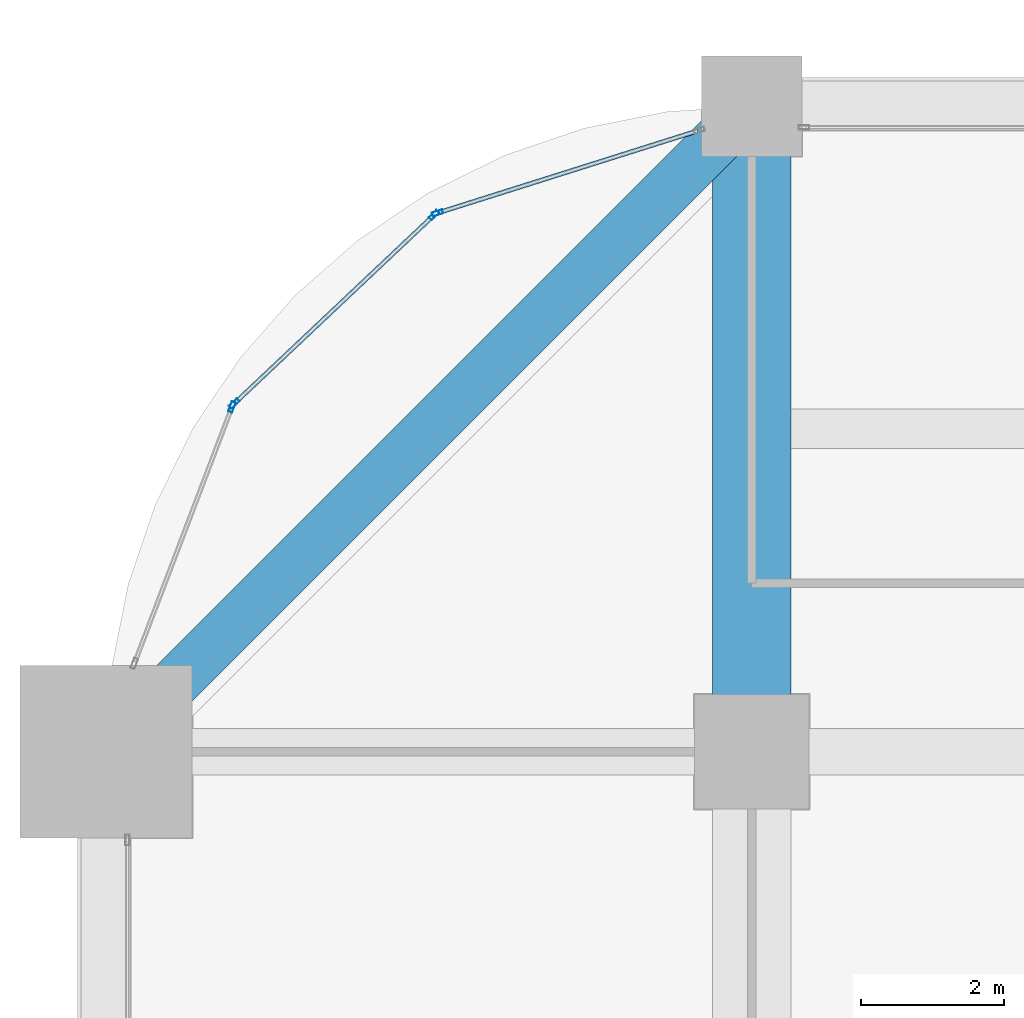
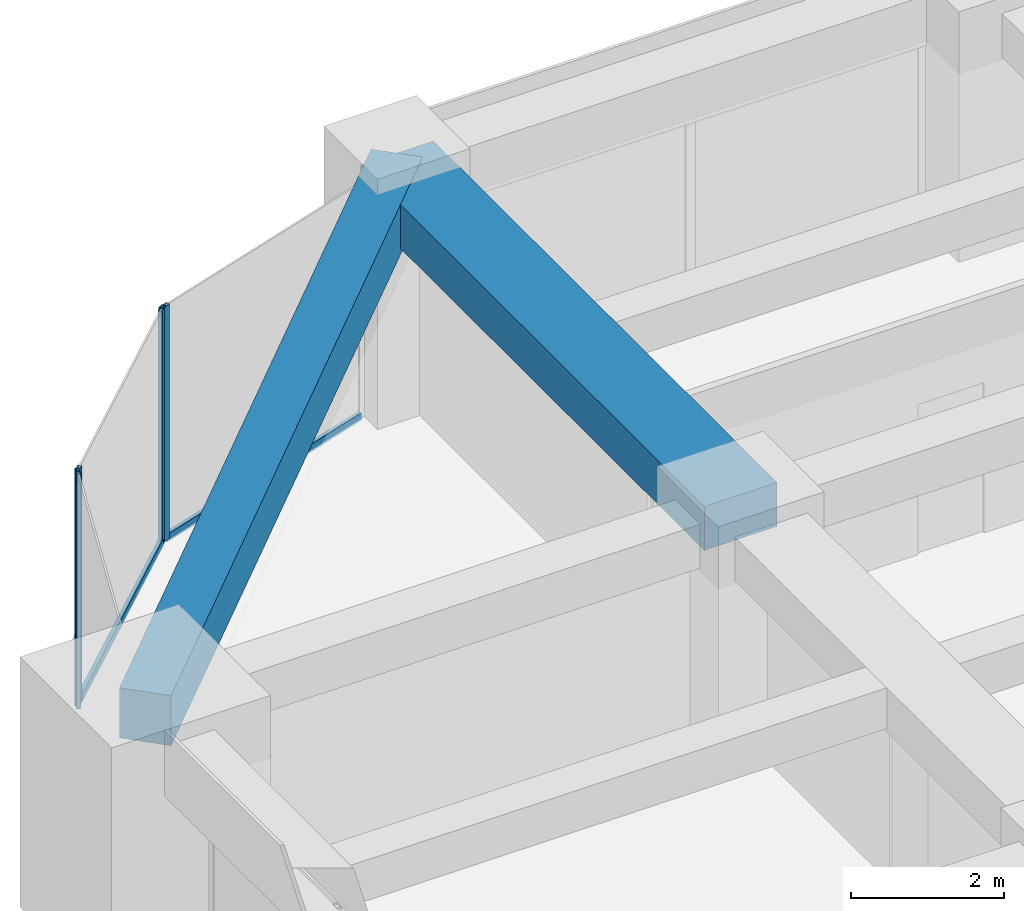
# One storey, part 22 of 32: 6 members, 2 beams, 3 elements without a shape of their own.
"""IFC4 building model written with IfcOpenShell, lengths in metres."""

import ifcopenshell
import ifcopenshell.guid

model = None  # the IFC model being written
_history = None  # IfcOwnerHistory: only IFC2X3 demands one
_inside = {}  # id of a spatial element -> (the spatial element, [elements in it])
_under = {}  # id of a project, library or spatial element -> (it, [spatial elements below it])
_declared = {}  # id of a project -> (the project, [libraries it declares])
_typed = {}  # id of a type object -> (the type object, [elements of that type])
_made_of = {}  # id of a material, layer set ... -> (it, [elements and type objects made of it])


def new_model(schema):
    """Start an empty IFC model of exactly this schema.

    Asked for "IFC4X3", IfcOpenShell would pick the latest addendum, in which some entities
    have other attributes; the version numbers below select the first issue.
    IFC2X3 requires an IfcOwnerHistory on every rooted entity: one is made here for all.
    """
    global model, _history
    if schema == "IFC4X3":
        model = ifcopenshell.file(schema_version=(4, 3, 0, 0))
    else:
        model = ifcopenshell.file(schema=schema)
    _inside.clear()
    _under.clear()
    _declared.clear()
    _typed.clear()
    _made_of.clear()
    _history = None
    if model.schema == "IFC2X3":
        org = make("IfcOrganization", Name="unknown")
        user = make(
            "IfcPersonAndOrganization",
            ThePerson=make("IfcPerson", FamilyName="unknown"),
            TheOrganization=org,
        )
        app = make(
            "IfcApplication",
            ApplicationDeveloper=org,
            Version="unknown",
            ApplicationFullName="unknown",
            ApplicationIdentifier="unknown",
        )
        _history = make(
            "IfcOwnerHistory",
            OwningUser=user,
            OwningApplication=app,
            ChangeAction="ADDED",
            CreationDate=0,
        )
    return model


def make(cls, **values):
    """One entity of the class cls with the attributes given. An attribute that is None is left unset."""
    return model.create_entity(
        cls, **{name: value for name, value in values.items() if value is not None}
    )


def rooted(cls, **values):
    """An entity with a GlobalId (a new one), such as an element, a storey or a relation."""
    return make(cls, GlobalId=ifcopenshell.guid.new(), OwnerHistory=_history, **values)


def si_unit(unit_type, name, prefix=None):
    """IfcSIUnit, for example si_unit("LENGTHUNIT", "METRE", prefix="MILLI")."""
    return make("IfcSIUnit", UnitType=unit_type, Prefix=prefix, Name=name)


def assignment(units):
    """IfcUnitAssignment: the units of a project."""
    return None if units is None else make("IfcUnitAssignment", Units=units)


def point(xyz):
    """IfcCartesianPoint."""
    return None if xyz is None else make("IfcCartesianPoint", Coordinates=xyz)


def direction(xyz):
    """IfcDirection."""
    return None if xyz is None else make("IfcDirection", DirectionRatios=xyz)


def frame(location, z_axis=None, x_axis=None):
    """IfcAxis2Placement3D, a coordinate frame: its origin and axes. An axis left out is left unset."""
    return make(
        "IfcAxis2Placement3D",
        Location=point(location),
        Axis=direction(z_axis),
        RefDirection=direction(x_axis),
    )


def frame_2d(location, x_axis=None):
    """IfcAxis2Placement2D, a coordinate frame in the plane: its origin and x axis."""
    return make(
        "IfcAxis2Placement2D", Location=point(location), RefDirection=direction(x_axis)
    )


def origin():
    """The frame at (0, 0, 0) with its axes left unset."""
    return frame((0.0, 0.0, 0.0))


def origin_2d():
    """The frame at (0, 0) in the plane with its x axis left unset."""
    return frame_2d((0.0, 0.0))


def place(relative_to, where):
    """IfcLocalPlacement: puts the frame where relative to a parent placement (None: the world)."""
    return make(
        "IfcLocalPlacement", PlacementRelTo=relative_to, RelativePlacement=where
    )


def context(
    kind, dimensions, precision=None, world=None, true_north=None, identifier=None
):
    """IfcGeometricRepresentationContext, for example the 3D "Model" context."""
    return make(
        "IfcGeometricRepresentationContext",
        ContextIdentifier=identifier,
        ContextType=kind,
        CoordinateSpaceDimension=dimensions,
        Precision=precision,
        WorldCoordinateSystem=world,
        TrueNorth=true_north,
    )


def subcontext(parent, identifier, kind, view, scale=None):
    """IfcGeometricRepresentationSubContext, for example "Body" below "Model"."""
    return make(
        "IfcGeometricRepresentationSubContext",
        ContextIdentifier=identifier,
        ContextType=kind,
        ParentContext=parent,
        TargetScale=scale,
        TargetView=view,
    )


def project(units=None, contexts=None):
    """IfcProject with its units and contexts."""
    return rooted(
        "IfcProject",
        Name="project",
        RepresentationContexts=contexts,
        UnitsInContext=assignment(units),
    )


def spatial(cls, under=None, at=None, **own):
    """A site, building, storey or space (cls), placed at a placement, below another one or the project."""
    s = rooted(cls, ObjectPlacement=at, **own)
    if under is not None:
        _under.setdefault(under.id(), (under, []))[1].append(s)
    return s


def profile(cls, at=None, kind="AREA", **sizes):
    """A parametric profile (cls). Its sizes go by their IFC names, for example OverallWidth=200.0."""
    return make(cls, ProfileType=kind, Position=at, **sizes)


def rectangle(**sizes):
    """IfcRectangleProfileDef."""
    return profile("IfcRectangleProfileDef", **sizes)


def hollow_rectangle(**sizes):
    """IfcRectangleHollowProfileDef."""
    return profile("IfcRectangleHollowProfileDef", **sizes)


def extrude(swept, where, along, depth):
    """IfcExtrudedAreaSolid: the profile swept, set in the frame where, extruded along a direction by depth."""
    return make(
        "IfcExtrudedAreaSolid",
        SweptArea=swept,
        Position=where,
        ExtrudedDirection=direction(along),
        Depth=depth,
    )


def shape(context_of_items, identifier, shape_type, items):
    """IfcShapeRepresentation: the items that make up one representation, for example the "Body"."""
    return make(
        "IfcShapeRepresentation",
        ContextOfItems=context_of_items,
        RepresentationIdentifier=identifier,
        RepresentationType=shape_type,
        Items=items,
    )


def material(Name=None, Category=None):
    """IfcMaterial."""
    return make("IfcMaterial", Name=Name, Category=Category)


def material_profile(
    of_material, cross_section, Name=None, Category=None, Priority=None
):
    """IfcMaterialProfile: a cross section and its material."""
    return make(
        "IfcMaterialProfile",
        Name=Name,
        Material=of_material,
        Profile=cross_section,
        Priority=Priority,
        Category=Category,
    )


def profile_set(profiles, Name=None, composite=None):
    """IfcMaterialProfileSet."""
    return make(
        "IfcMaterialProfileSet",
        Name=Name,
        MaterialProfiles=profiles,
        CompositeProfile=composite,
    )


def made_of(thing, what):
    """Note that an element or type object is made of a material, layer set ...; save() writes the relation."""
    if what is not None:
        _made_of.setdefault(what.id(), (what, []))[1].append(thing)
    return thing


def type_object(cls, material=None, **own):
    """A type object (cls), such as IfcWallType, which elements share."""
    return made_of(rooted(cls, **own), material)


def element(
    cls,
    number,
    at=None,
    inside=None,
    cuts=None,
    type_object=None,
    material=None,
    context=None,
    identifier="Body",
    shape_type=None,
    held_by="IfcProductDefinitionShape",
    body=None,
    shapes=None,
    **own,
):
    """One element of the class cls, such as IfcWall. Its Tag is "e" and its number.

    at: its placement. inside: the storey or other place that contains it. cuts: it is an
    opening in that element (IfcRelVoidsElement). A single representation is given by context,
    identifier, shape_type and body (its items); several are given by shapes. held_by: the class
    of the entity that holds the representations. save() writes the other relations.
    """
    e = rooted(cls, Tag="e%d" % number, ObjectPlacement=at, **own)
    if body is not None:
        shapes = [shape(context, identifier, shape_type, body)]
    if shapes is not None:
        e.Representation = make(held_by, Representations=shapes)
    if inside is not None:
        _inside.setdefault(inside.id(), (inside, []))[1].append(e)
    if cuts is not None:
        rooted(
            "IfcRelVoidsElement", RelatingBuildingElement=cuts, RelatedOpeningElement=e
        )
    if type_object is not None:
        _typed.setdefault(type_object.id(), (type_object, []))[1].append(e)
    return made_of(e, material)


def aggregate(whole, parts):
    """IfcRelAggregates: a whole, such as a stair, and the parts it consists of."""
    return rooted("IfcRelAggregates", RelatingObject=whole, RelatedObjects=parts)


def save(model, path):
    """Write the relations noted so far, then the file.

    IfcRelAggregates (storeys below a building ...), IfcRelContainedInSpatialStructure (elements
    in a storey), IfcRelDefinesByType, IfcRelAssociatesMaterial and IfcRelDeclares: one each for
    every whole, place, type object, material and project.
    """
    for whole, parts in _under.values():
        aggregate(whole, parts)
    for where, things in _inside.values():
        rooted(
            "IfcRelContainedInSpatialStructure",
            RelatedElements=things,
            RelatingStructure=where,
        )
    for kind, things in _typed.values():
        rooted("IfcRelDefinesByType", RelatedObjects=things, RelatingType=kind)
    for what, things in _made_of.values():
        rooted("IfcRelAssociatesMaterial", RelatedObjects=things, RelatingMaterial=what)
    for by, libraries in _declared.values():
        rooted("IfcRelDeclares", RelatingContext=by, RelatedDefinitions=libraries)
    model.write(path)


model = new_model("IFC4")

# Units and contexts
model_context = context("Model", 3, precision=1e-05, world=origin(), true_north=direction((0.0, 1.0)))
body_context = subcontext(model_context, "Body", "Model", "MODEL_VIEW")
ifc_project = project(units=[si_unit("LENGTHUNIT", "METRE"), si_unit("AREAUNIT", "SQUARE_METRE"), si_unit("VOLUMEUNIT", "CUBIC_METRE"), si_unit("PLANEANGLEUNIT", "RADIAN"), si_unit("MASSUNIT", "GRAM", prefix="KILO")], contexts=[model_context])

# Site, building, storey
site_placement = place(None, origin())
site = spatial("IfcSite", under=ifc_project, at=site_placement, CompositionType="ELEMENT")
building_placement = place(site_placement, origin())
building = spatial("IfcBuilding", under=site, at=building_placement, Name="Zorevar Civic Tower", CompositionType="ELEMENT")
storey_placement = place(building_placement, frame((0.0, 0.0, 190.199951171875)))
storey = spatial("IfcBuildingStorey", under=building, at=storey_placement, Name="L46", CompositionType="ELEMENT", Elevation=190.199951171875)

# Beam
ifc_material_1 = material(Name="Concrete C50/60", Category="concrete")
ifc_material_profile_1 = material_profile(ifc_material_1, rectangle(XDim=1.10009765625, YDim=0.699951171875, at=origin_2d()), Name="RC 1100x700")
ifc_profile_set_1 = profile_set([ifc_material_profile_1], Name="Concrete C50/60")
beam_type_1 = type_object("IfcBeamType", Name="Beam RC 1100x700", PredefinedType="BEAM", material=ifc_profile_set_1)
beam_1_placement = place(storey_placement, frame((9.0, 36.0, 3.400146484375), z_axis=(0.0, 1.0, 0.0), x_axis=(-1.0, 0.0, 0.0)))
element("IfcBeam", 1, at=beam_1_placement, inside=storey, type_object=beam_type_1, Name="Girder L47", PredefinedType="BEAM", context=body_context, shape_type="SweptSolid", body=[
    extrude(rectangle(XDim=1.10009765625, YDim=0.699951171875, at=origin_2d()), origin(), (0.0, 0.0, 1.0), 9.0),
])

# Curtain wall, member
ifc_material_2 = material(Name="Dark grey solar-control glass in black aluminium frame", Category="aluminium")
curtain_wall_type = type_object("IfcCurtainWallType", Name="Curtain wall CW4 high zone", PredefinedType="NOTDEFINED", material=ifc_material_2)
curtain_wall_1_placement = place(storey_placement, origin())
curtain_wall_1 = element("IfcCurtainWall", 2, at=curtain_wall_1_placement, inside=storey, type_object=curtain_wall_type, Name="CW4 L46", PredefinedType="NOTDEFINED")
ifc_material_3 = material(Name="Aluminium, black anodised", Category="aluminium")
ifc_material_profile_2 = material_profile(ifc_material_3, hollow_rectangle(XDim=0.06005859375, YDim=0.14990234375, WallThickness=0.00390625, at=origin_2d()), Name="AL 150x60x4")
ifc_profile_set_2 = profile_set([ifc_material_profile_2], Name="Aluminium, black anodised")
member_type_1 = type_object("IfcMemberType", Name="CW4 mullion AL 150x60x4", PredefinedType="MULLION", material=ifc_profile_set_2)
member_1_placement = place(storey_placement, frame((4.62158203125, 43.51025390625, 0.0), z_axis=(0.0, 0.0, 1.0), x_axis=(0.301108296077, -0.953589950678, 0.0)))
member_1 = element("IfcMember", 3, at=member_1_placement, type_object=member_type_1, Name="CW4 mullion 2", PredefinedType="MULLION", context=body_context, shape_type="SweptSolid", body=[
    extrude(hollow_rectangle(XDim=0.06005859375, YDim=0.14990234375, WallThickness=0.00390625, at=origin_2d()), origin(), (0.0, 0.0, 1.0), 3.75),
])

# Curtain wall, members
curtain_wall_2_placement = place(storey_placement, origin())
curtain_wall_2 = element("IfcCurtainWall", 4, at=curtain_wall_2_placement, inside=storey, type_object=curtain_wall_type, Name="CW4 L46", PredefinedType="NOTDEFINED")
member_2_placement = place(storey_placement, frame((4.5712890625, 43.480712890625, 0.0), z_axis=(0.0, 0.0, 1.0), x_axis=(0.686377907265, -0.727245053898, 0.0)))
member_2 = element("IfcMember", 5, at=member_2_placement, type_object=member_type_1, Name="CW4 mullion 1", PredefinedType="MULLION", context=body_context, shape_type="SweptSolid", body=[
    extrude(hollow_rectangle(XDim=0.06005859375, YDim=0.14990234375, WallThickness=0.00390625, at=origin_2d()), origin(), (0.0, 0.0, 1.0), 3.75),
])
member_3_placement = place(storey_placement, frame((1.787841796875, 40.853759765625, 0.0), z_axis=(0.0, 0.0, 1.0), x_axis=(0.686377907265, -0.727245053898, 0.0)))
member_3 = element("IfcMember", 6, at=member_3_placement, type_object=member_type_1, Name="CW4 mullion 2", PredefinedType="MULLION", context=body_context, shape_type="SweptSolid", body=[
    extrude(hollow_rectangle(XDim=0.06005859375, YDim=0.14990234375, WallThickness=0.00390625, at=origin_2d()), origin(), (0.0, 0.0, 1.0), 3.75),
])

# Curtain wall, member
curtain_wall_3_placement = place(storey_placement, origin())
curtain_wall_3 = element("IfcCurtainWall", 7, at=curtain_wall_3_placement, inside=storey, type_object=curtain_wall_type, Name="CW4 L46", PredefinedType="NOTDEFINED")
member_4_placement = place(storey_placement, frame((1.75537109375, 40.804931640625, 0.0), z_axis=(0.0, 0.0, 1.0), x_axis=(0.93458842801, -0.355730895803, 0.0)))
member_4 = element("IfcMember", 8, at=member_4_placement, type_object=member_type_1, Name="CW4 mullion 1", PredefinedType="MULLION", context=body_context, shape_type="SweptSolid", body=[
    extrude(hollow_rectangle(XDim=0.06005859375, YDim=0.14990234375, WallThickness=0.00390625, at=origin_2d()), origin(), (0.0, 0.0, 1.0), 3.75),
])
aggregate(curtain_wall_3, [member_4])

# Member
ifc_material_4 = material(Name="Aluminium, black anodised", Category="aluminium")
ifc_material_profile_3 = material_profile(ifc_material_4, hollow_rectangle(XDim=0.06005859375, YDim=0.1201171875, WallThickness=0.0029296875, at=origin_2d()), Name="AL 120x60x3")
ifc_profile_set_3 = profile_set([ifc_material_profile_3], Name="Aluminium, black anodised")
member_type_2 = type_object("IfcMemberType", Name="CW4 transom AL 120x60x3", PredefinedType="USERDEFINED", material=ifc_profile_set_3)
member_5_placement = place(storey_placement, frame((8.24267578125, 44.653564453125, 0.030029296875), z_axis=(-0.953592459367, -0.301100351109, 0.0), x_axis=(0.301100351109, -0.953592459367, 0.0)))
member_5 = element("IfcMember", 9, at=member_5_placement, type_object=member_type_2, Name="CW4 sill transom", ObjectType="TRANSOM", PredefinedType="USERDEFINED", context=body_context, shape_type="SweptSolid", body=[
    extrude(hollow_rectangle(XDim=0.06005859375, YDim=0.1201171875, WallThickness=0.0029296875, at=origin_2d()), origin(), (0.0, 0.0, 1.0), 3.76708984375),
])

aggregate(curtain_wall_1, [member_1, member_5])

member_6_placement = place(storey_placement, frame((4.549560546875, 43.4599609375, 0.030029296875), z_axis=(-0.727288059227, -0.686332338526, 0.0), x_axis=(0.686332338526, -0.727288059227, 0.0)))
member_6 = element("IfcMember", 10, at=member_6_placement, type_object=member_type_2, Name="CW4 sill transom", ObjectType="TRANSOM", PredefinedType="USERDEFINED", context=body_context, shape_type="SweptSolid", body=[
    extrude(hollow_rectangle(XDim=0.06005859375, YDim=0.1201171875, WallThickness=0.0029296875, at=origin_2d()), origin(), (0.0, 0.0, 1.0), 3.767333984375),
])

aggregate(curtain_wall_2, [member_2, member_3, member_6])

# Beam
ifc_material_5 = material(Name="Concrete C50/60", Category="concrete")
ifc_material_profile_4 = material_profile(ifc_material_5, rectangle(XDim=0.699951171875, YDim=0.800048828125, at=origin_2d()), Name="RC 700x800")
ifc_profile_set_4 = profile_set([ifc_material_profile_4], Name="Concrete C50/60")
beam_type_2 = type_object("IfcBeamType", Name="Edge beam RC 700x800", PredefinedType="SPANDREL", material=ifc_profile_set_4)
beam_2_placement = place(storey_placement, frame((9.0, 45.0, 3.35009765625), z_axis=(-0.707106781187, -0.707106781187, 0.0), x_axis=(0.707106781187, -0.707106781187, 0.0)))
element("IfcBeam", 11, at=beam_2_placement, inside=storey, type_object=beam_type_2, Name="Corner edge beam L47", PredefinedType="SPANDREL", context=body_context, shape_type="SweptSolid", body=[
    extrude(rectangle(XDim=0.699951171875, YDim=0.800048828125, at=origin_2d()), origin(), (0.0, 0.0, 1.0), 12.72802734375),
])

save(model, "model.ifc")
